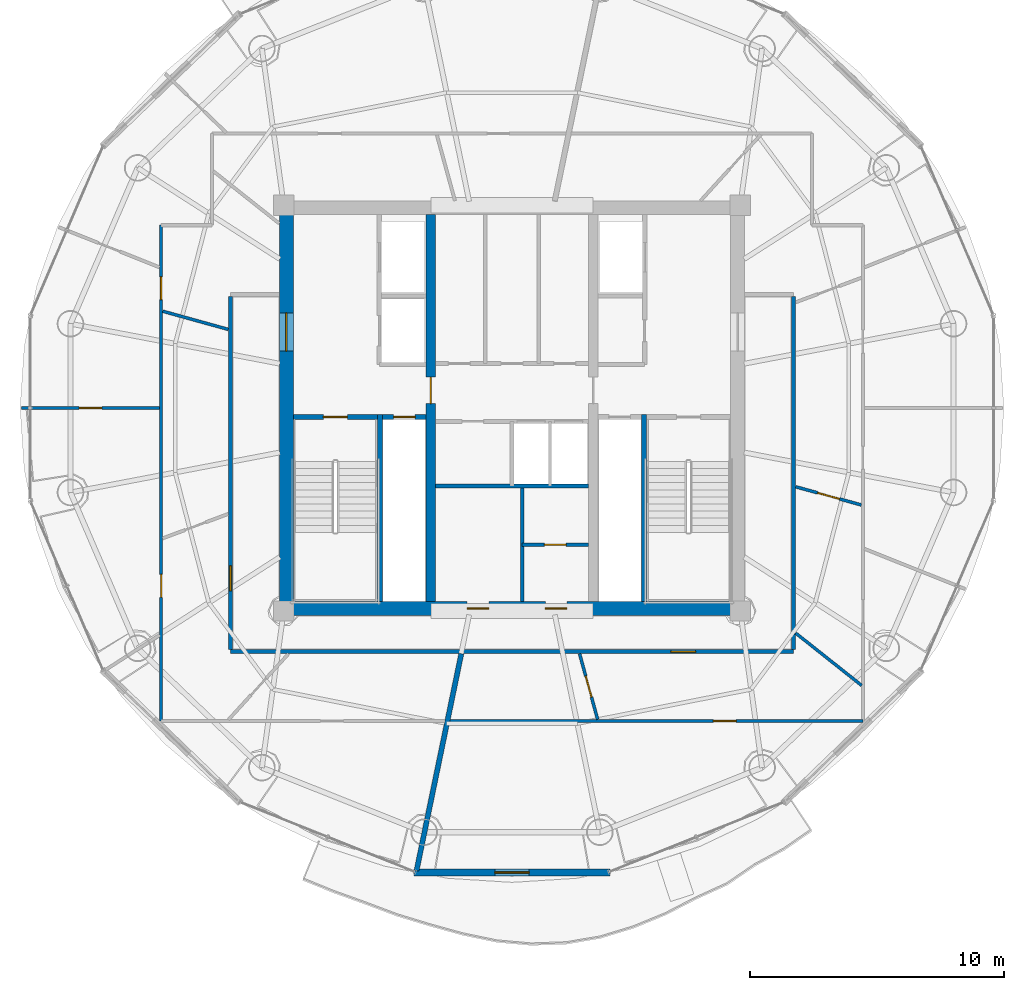
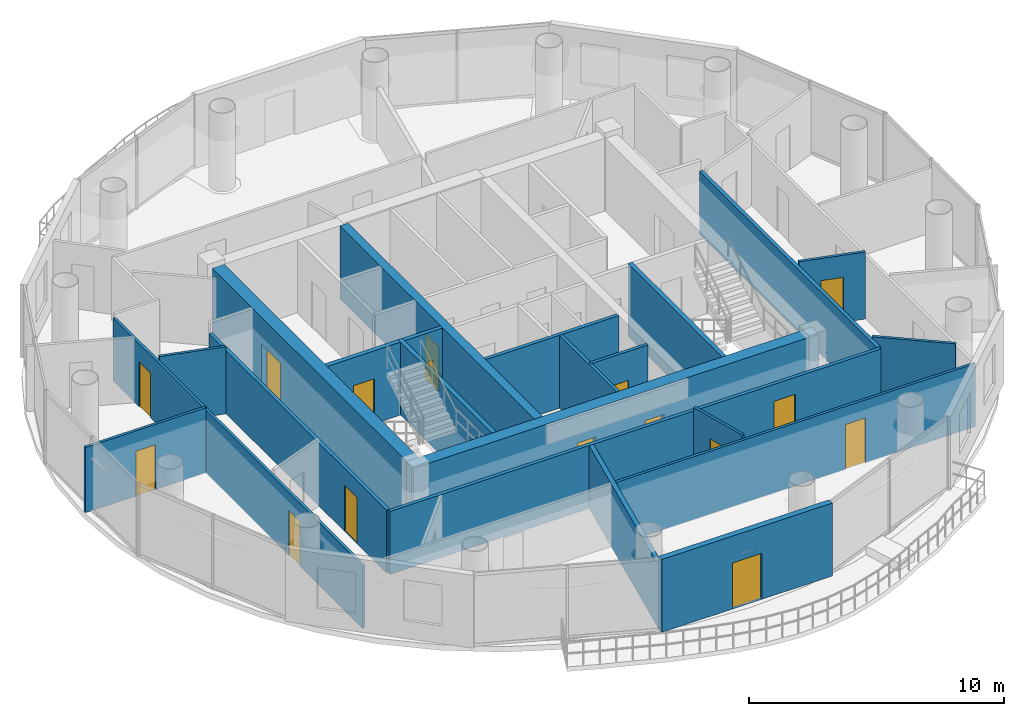
# One storey, part 14 of 21: 22 walls, 16 doors, 16 openings.
"""IFC4 building model written with IfcOpenShell, lengths in metres."""

from ifc_helpers import new_model, si_unit, direction, frame, frame_2d, origin, place, context, subcontext, project, spatial, rectangle, extrude, source, transform, mapped, material, layer, layer_set, type_object, element, fill, save


model = new_model("IFC4")

# Units and contexts
model_context = context("Model", 3, precision=1e-05, world=origin(), true_north=direction((-0.2419218956, 0.970295726276)))
body_context = subcontext(model_context, "Body", "Model", "MODEL_VIEW")
ifc_project = project(units=[si_unit("LENGTHUNIT", "METRE"), si_unit("AREAUNIT", "SQUARE_METRE"), si_unit("VOLUMEUNIT", "CUBIC_METRE"), si_unit("PLANEANGLEUNIT", "RADIAN"), si_unit("MASSUNIT", "GRAM", prefix="KILO")], contexts=[model_context])

# Site, building, storey
site_placement = place(None, origin())
site = spatial("IfcSite", under=ifc_project, at=site_placement, CompositionType="ELEMENT")
building_placement = place(site_placement, origin())
building = spatial("IfcBuilding", under=site, at=building_placement, Name="Cobrevalo Terracotta Tower", CompositionType="ELEMENT")
storey_placement = place(building_placement, frame((0.0, 0.0, 281.949951171875)))
storey = spatial("IfcBuildingStorey", under=building, at=storey_placement, Name="L74", CompositionType="ELEMENT", Elevation=281.949951171875)

# Wall, openings, doors
ifc_material_1 = material(Name="Concrete C50", Category="concrete")
ifc_layer_1 = layer(ifc_material_1, 0.550048828125)
ifc_layer_set_1 = layer_set([ifc_layer_1], Name="Concrete C50")
wall_type_1 = type_object("IfcWallType", Name="Core shear wall 550 mm Concrete C50", PredefinedType="SHEAR", material=ifc_layer_set_1)
wall_1_placement = place(storey_placement, frame((28.824951171875, 18.89990234375, 0.0), z_axis=(0.0, 0.0, 1.0), x_axis=(1.0, 0.0, 0.0)))
wall_1 = element("IfcWall", 1, at=wall_1_placement, inside=storey, type_object=wall_type_1, Name="L74 south core shear wall", PredefinedType="SHEAR", context=body_context, shape_type="SweptSolid", body=[
    extrude(rectangle(XDim=18.35009765625, YDim=0.550048828125, at=frame_2d((9.175048828125, 0.0))), origin(), (0.0, 0.0, 1.0), 3.489990234375),
])
opening_1_placement = place(wall_1_placement, frame((7.409912109375, 0.0, 0.0)))
opening_1 = element("IfcOpeningElement", 2, at=opening_1_placement, cuts=wall_1, Name="Opening ID-22", PredefinedType="OPENING", context=body_context, shape_type="SweptSolid", body=[
    extrude(rectangle(XDim=0.85009765625, YDim=2.10009765625, at=frame_2d((0.425048828125, 1.050048828125))), frame((0.0, 0.28515625, 0.0), z_axis=(0.0, -1.0, 0.0), x_axis=(1.0, 0.0, 0.0)), (0.0, 0.0, 1.0), 0.570068359375),
])
opening_2_placement = place(wall_1_placement, frame((10.489990234375, 0.0, 0.0)))
opening_2 = element("IfcOpeningElement", 3, at=opening_2_placement, cuts=wall_1, Name="Opening ID-22", PredefinedType="OPENING", context=body_context, shape_type="SweptSolid", body=[
    extrude(rectangle(XDim=0.85009765625, YDim=2.10009765625, at=frame_2d((0.425048828125, 1.050048828125))), frame((0.0, 0.28515625, 0.0), z_axis=(0.0, -1.0, 0.0), x_axis=(1.0, 0.0, 0.0)), (0.0, 0.0, 1.0), 0.570068359375),
])
ifc_material_2 = material(Name="Powder-coated steel", Category="steel")
door_type_1 = type_object("IfcDoorType", Name="Riser shaft & meter closet fire access door 850x2100 EI 60", OperationType="NOTDEFINED", PredefinedType="DOOR", material=ifc_material_2)
shared_shape_1 = source(origin(), body_context, "Body", "SweptSolid", [
    extrude(rectangle(XDim=0.85009765625, YDim=2.10009765625, at=frame_2d((0.425048828125, 1.050048828125))), frame((0.0, 0.02490234375, 0.0), z_axis=(0.0, -1.0, 0.0), x_axis=(1.0, 0.0, 0.0)), (0.0, 0.0, 1.0), 0.050048828125),
])
door_1_placement = place(opening_1_placement, origin())
door_1 = element("IfcDoor", 4, at=door_1_placement, inside=storey, type_object=door_type_1, Name="L74 core south plant door Floor AHU Mechanical Plant", OperationType="SINGLE_SWING_RIGHT", OverallHeight=2.10009765625, OverallWidth=0.85009765625, PredefinedType="DOOR", context=body_context, shape_type="MappedRepresentation", body=[
    mapped(shared_shape_1, transform((0.0, 0.0, 0.0), scale=1.0)),
])
fill(opening_1, door_1)
door_2_placement = place(opening_2_placement, origin())
door_2 = element("IfcDoor", 5, at=door_2_placement, inside=storey, type_object=door_type_1, Name="L74 core south plant door Sprinkler Valve Plant", OperationType="SINGLE_SWING_RIGHT", OverallHeight=2.10009765625, OverallWidth=0.85009765625, PredefinedType="DOOR", context=body_context, shape_type="MappedRepresentation", body=[
    mapped(shared_shape_1, transform((0.0, 0.0, 0.0), scale=1.0)),
])
fill(opening_2, door_2)

# Wall, opening, door
wall_2_placement = place(storey_placement, frame((29.10009765625, 19.175048828125, 0.0), z_axis=(0.0, 0.0, 1.0), x_axis=(0.0, 1.0, 0.0)))
wall_2 = element("IfcWall", 6, at=wall_2_placement, inside=storey, type_object=wall_type_1, Name="L74 west core shear wall", PredefinedType="SHEAR", context=body_context, shape_type="SweptSolid", body=[
    extrude(rectangle(XDim=15.25, YDim=0.550048828125, at=frame_2d((7.625, 0.0))), origin(), (0.0, 0.0, 1.0), 3.489990234375),
])
opening_3_placement = place(wall_2_placement, frame((9.875, 0.0, 0.0)))
opening_3 = element("IfcOpeningElement", 7, at=opening_3_placement, cuts=wall_2, Name="Opening ID-14", PredefinedType="OPENING", context=body_context, shape_type="SweptSolid", body=[
    extrude(rectangle(XDim=1.5, YDim=2.199951171875, at=frame_2d((0.75, 1.10009765625))), frame((0.0, 0.28515625, 0.0), z_axis=(0.0, -1.0, 0.0), x_axis=(1.0, 0.0, 0.0)), (0.0, 0.0, 1.0), 0.570068359375),
])
ifc_material_3 = material(Name="Galvanized fire-rated steel", Category="steel")
door_type_2 = type_object("IfcDoorType", Name="Core cross-lobby double fire door 1500x2200 EI 90", OperationType="NOTDEFINED", PredefinedType="DOOR", material=ifc_material_3)
shared_shape_2 = source(origin(), body_context, "Body", "SweptSolid", [
    extrude(rectangle(XDim=1.5, YDim=2.199951171875, at=frame_2d((0.75, 1.10009765625))), frame((0.0, 0.02490234375, 0.0), z_axis=(0.0, -1.0, 0.0), x_axis=(1.0, 0.0, 0.0)), (0.0, 0.0, 1.0), 0.050048828125),
])
door_3_placement = place(opening_3_placement, origin())
door_3 = element("IfcDoor", 8, at=door_3_placement, inside=storey, type_object=door_type_2, Name="L74 west firefighting lobby entrance door", OperationType="DOUBLE_DOOR_SINGLE_SWING", OverallHeight=2.199951171875, OverallWidth=1.5, PredefinedType="DOOR", context=body_context, shape_type="MappedRepresentation", body=[
    mapped(shared_shape_2, transform((0.0, 0.0, 0.0), scale=1.0)),
])
fill(opening_3, door_3)

# Wall
ifc_material_4 = material(Name="Gypsum board on steel stud", Category="steel")
ifc_layer_2 = layer(ifc_material_4, 0.159912109375)
ifc_layer_set_2 = layer_set([ifc_layer_2], Name="Gypsum board on steel stud")
wall_type_2 = type_object("IfcWallType", Name="Fire-rated corridor acoustic partition wall 160 mm", PredefinedType="PARTITIONING", material=ifc_layer_set_2)
wall_3_placement = place(storey_placement, frame((34.989990234375, 23.719970703125, 0.0), z_axis=(0.0, 0.0, 1.0), x_axis=(1.0, 0.0, 0.0)))
element("IfcWall", 9, at=wall_3_placement, inside=storey, type_object=wall_type_2, Name="L74 interior partition IW-L74-MB-S", PredefinedType="PARTITIONING", context=body_context, shape_type="SweptSolid", body=[
    extrude(rectangle(XDim=6.02001953125, YDim=0.159912109375, at=frame_2d((3.010009765625, 0.0))), origin(), (0.0, 0.0, 1.0), 3.489990234375),
])

# Wall, opening, door
wall_4_placement = place(storey_placement, frame((26.89501953125, 17.195068359375, 0.0), z_axis=(0.0, 0.0, 1.0), x_axis=(1.0, 0.0, 0.0)))
wall_4 = element("IfcWall", 10, at=wall_4_placement, inside=storey, type_object=wall_type_2, Name="L74 interior partition IW-L74-COR-S", PredefinedType="PARTITIONING", context=body_context, shape_type="SweptSolid", body=[
    extrude(rectangle(XDim=22.2099609375, YDim=0.159912109375, at=frame_2d((11.10498046875, 0.0))), origin(), (0.0, 0.0, 1.0), 3.01513671875),
])
opening_4_placement = place(wall_4_placement, frame((17.365478515625, 0.0, 0.0)))
opening_4 = element("IfcOpeningElement", 11, at=opening_4_placement, cuts=wall_4, Name="Opening ID-05", PredefinedType="OPENING", context=body_context, shape_type="SweptSolid", body=[
    extrude(rectangle(XDim=0.97998046875, YDim=2.199951171875, at=frame_2d((0.489990234375, 1.10009765625))), frame((0.0, 0.08984375, 0.0), z_axis=(0.0, -1.0, 0.0), x_axis=(1.0, 0.0, 0.0)), (0.0, 0.0, 1.0), 0.179931640625),
])
ifc_material_5 = material(Name="Solid hardwood timber", Category="wood")
door_type_3 = type_object("IfcDoorType", Name="Residence entrance fire-rated acoustic timber door 980x2200 EI 60", OperationType="NOTDEFINED", PredefinedType="DOOR", material=ifc_material_5)
shared_shape_3 = source(origin(), body_context, "Body", "SweptSolid", [
    extrude(rectangle(XDim=0.97998046875, YDim=2.199951171875, at=frame_2d((0.489990234375, 1.10009765625))), frame((0.0, 0.02490234375, 0.0), z_axis=(0.0, -1.0, 0.0), x_axis=(1.0, 0.0, 0.0)), (0.0, 0.0, 1.0), 0.050048828125),
])
door_4_placement = place(opening_4_placement, frame((0.97998046875, 0.0, 0.0), z_axis=(0.0, 0.0, 1.0), x_axis=(-1.0, 0.0, 0.0)))
door_4 = element("IfcDoor", 12, at=door_4_placement, inside=storey, type_object=door_type_3, Name="Flat L74B fire-rated apartment entrance door", OperationType="SINGLE_SWING_LEFT", OverallHeight=2.199951171875, OverallWidth=0.97998046875, PredefinedType="DOOR", context=body_context, shape_type="MappedRepresentation", body=[
    mapped(shared_shape_3, transform((0.0, 0.0, 0.0), scale=1.0)),
])
fill(opening_4, door_4)

wall_5_placement = place(storey_placement, frame((26.89501953125, 17.27490234375, 0.0), z_axis=(0.0, 0.0, 1.0), x_axis=(0.0, 1.0, 0.0)))
wall_5 = element("IfcWall", 13, at=wall_5_placement, inside=storey, type_object=wall_type_2, Name="L74 interior partition IW-L74-COR-W", PredefinedType="PARTITIONING", context=body_context, shape_type="SweptSolid", body=[
    extrude(rectangle(XDim=13.925048828125, YDim=0.159912109375, at=frame_2d((6.96240234375, 0.0))), origin(), (0.0, 0.0, 1.0), 3.01513671875),
])
opening_5_placement = place(wall_5_placement, frame((2.321044921875, 0.0, 0.0)))
opening_5 = element("IfcOpeningElement", 14, at=opening_5_placement, cuts=wall_5, Name="Opening ID-05", PredefinedType="OPENING", context=body_context, shape_type="SweptSolid", body=[
    extrude(rectangle(XDim=0.97998046875, YDim=2.199951171875, at=frame_2d((0.489990234375, 1.10009765625))), frame((0.0, 0.08984375, 0.0), z_axis=(0.0, -1.0, 0.0), x_axis=(1.0, 0.0, 0.0)), (0.0, 0.0, 1.0), 0.179931640625),
])
door_5_placement = place(opening_5_placement, origin())
door_5 = element("IfcDoor", 15, at=door_5_placement, inside=storey, type_object=door_type_3, Name="Flat L74A fire-rated apartment entrance door", OperationType="SINGLE_SWING_RIGHT", OverallHeight=2.199951171875, OverallWidth=0.97998046875, PredefinedType="DOOR", context=body_context, shape_type="MappedRepresentation", body=[
    mapped(shared_shape_3, transform((0.0, 0.0, 0.0), scale=1.0)),
])
fill(opening_5, door_5)

# Wall
wall_6_placement = place(storey_placement, frame((49.10498046875, 17.27490234375, 0.0), z_axis=(0.0, 0.0, 1.0), x_axis=(0.0, 1.0, 0.0)))
element("IfcWall", 16, at=wall_6_placement, inside=storey, type_object=wall_type_2, Name="L74 interior partition IW-L74-COR-E", PredefinedType="PARTITIONING", context=body_context, shape_type="SweptSolid", body=[
    extrude(rectangle(XDim=13.925048828125, YDim=0.159912109375, at=frame_2d((6.96240234375, 0.0))), origin(), (0.0, 0.0, 1.0), 3.01513671875),
])

# Wall, opening, door
ifc_layer_3 = layer(ifc_material_4, 0.179931640625)
ifc_layer_set_3 = layer_set([ifc_layer_3], Name="Gypsum board on steel stud")
wall_type_3 = type_object("IfcWallType", Name="Fire-rated shaft & lobby acoustic partition wall 180 mm", PredefinedType="PARTITIONING", material=ifc_layer_set_3)
wall_7_placement = place(storey_placement, frame((32.89990234375, 26.449951171875, 0.0), z_axis=(0.0, 0.0, 1.0), x_axis=(1.0, 0.0, 0.0)))
wall_7 = element("IfcWall", 17, at=wall_7_placement, inside=storey, type_object=wall_type_3, Name="L74 interior partition IW-L74-RSW-N", PredefinedType="PARTITIONING", context=body_context, shape_type="SweptSolid", body=[
    extrude(rectangle(XDim=1.710205078125, YDim=0.179931640625, at=frame_2d((0.85498046875, 0.0))), origin(), (0.0, 0.0, 1.0), 3.489990234375),
])
opening_6_placement = place(wall_7_placement, frame((0.429931640625, 0.0, 0.0)))
opening_6 = element("IfcOpeningElement", 18, at=opening_6_placement, cuts=wall_7, Name="Opening ID-22", PredefinedType="OPENING", context=body_context, shape_type="SweptSolid", body=[
    extrude(rectangle(XDim=0.85009765625, YDim=2.10009765625, at=frame_2d((0.425048828125, 1.050048828125))), frame((0.0, 0.10009765625, 0.0), z_axis=(0.0, -1.0, 0.0), x_axis=(1.0, 0.0, 0.0)), (0.0, 0.0, 1.0), 0.199951171875),
])
door_6_placement = place(opening_6_placement, origin())
door_6 = element("IfcDoor", 19, at=door_6_placement, inside=storey, type_object=door_type_1, Name="L74 riser access door RSW", OperationType="SINGLE_SWING_LEFT", OverallHeight=2.10009765625, OverallWidth=0.85009765625, PredefinedType="DOOR", context=body_context, shape_type="MappedRepresentation", body=[
    mapped(shared_shape_1, transform((0.0, 0.0, 0.0), scale=1.0)),
])
fill(opening_6, door_6)

# Wall
ifc_material_6 = material(Name="Autoclaved aerated concrete block", Category="concrete")
ifc_layer_4 = layer(ifc_material_6, 0.199951171875)
ifc_layer_set_4 = layer_set([ifc_layer_4], Name="Autoclaved aerated concrete block")
wall_type_4 = type_object("IfcWallType", Name="Fire-rated stair, shaft & demising masonry wall 200 mm", PredefinedType="PARTITIONING", material=ifc_layer_set_4)
wall_8_placement = place(storey_placement, frame((36.00146484375, 17.114990234375, 0.0), z_axis=(0.0, 0.0, 1.0), x_axis=(-0.202108543081, -0.979363128167, 0.0)))
element("IfcWall", 20, at=wall_8_placement, inside=storey, type_object=wall_type_4, Name="L74 interior partition IW-L74-DEM-2", PredefinedType="PARTITIONING", context=body_context, shape_type="SweptSolid", body=[
    extrude(rectangle(XDim=8.738525390625, YDim=0.199951171875, at=frame_2d((4.369140625, 0.0))), origin(), (0.0, 0.0, 1.0), 3.01513671875),
])

# Wall, opening, door
ifc_layer_5 = layer(ifc_material_1, 0.3798828125)
ifc_layer_set_5 = layer_set([ifc_layer_5], Name="Concrete C50")
wall_type_5 = type_object("IfcWallType", Name="Internal core shear web wall 380 mm Concrete C50", PredefinedType="SHEAR", material=ifc_layer_set_5)
wall_9_placement = place(storey_placement, frame((34.800048828125, 19.175048828125, 0.0), z_axis=(0.0, 0.0, 1.0), x_axis=(0.0, 1.0, 0.0)))
wall_9 = element("IfcWall", 21, at=wall_9_placement, inside=storey, type_object=wall_type_5, Name="L74 internal core shear wall WEB-W", PredefinedType="SHEAR", context=body_context, shape_type="SweptSolid", body=[
    extrude(rectangle(XDim=15.25, YDim=0.3798828125, at=frame_2d((7.625, 0.0))), origin(), (0.0, 0.0, 1.0), 3.489990234375),
])
opening_7_placement = place(wall_9_placement, frame((7.800048828125, 0.0, 0.0)))
opening_7 = element("IfcOpeningElement", 22, at=opening_7_placement, cuts=wall_9, Name="Opening ID-11", PredefinedType="OPENING", context=body_context, shape_type="SweptSolid", body=[
    extrude(rectangle(XDim=1.050048828125, YDim=2.14990234375, at=frame_2d((0.52490234375, 1.074951171875))), frame((0.0, 0.199951171875, 0.0), z_axis=(0.0, -1.0, 0.0), x_axis=(1.0, 0.0, 0.0)), (0.0, 0.0, 1.0), 0.39990234375),
])
door_type_4 = type_object("IfcDoorType", Name="Core concourse cross fire door 1050x2150 EI 90", OperationType="NOTDEFINED", PredefinedType="DOOR", material=ifc_material_3)
shared_shape_4 = source(origin(), body_context, "Body", "SweptSolid", [
    extrude(rectangle(XDim=1.050048828125, YDim=2.14990234375, at=frame_2d((0.52490234375, 1.074951171875))), frame((0.0, 0.02490234375, 0.0), z_axis=(0.0, -1.0, 0.0), x_axis=(1.0, 0.0, 0.0)), (0.0, 0.0, 1.0), 0.050048828125),
])
door_7_placement = place(opening_7_placement, origin())
door_7 = element("IfcDoor", 23, at=door_7_placement, inside=storey, type_object=door_type_4, Name="L74 west core concourse cross door", OperationType="SINGLE_SWING_LEFT", OverallHeight=2.14990234375, OverallWidth=1.050048828125, PredefinedType="DOOR", context=body_context, shape_type="MappedRepresentation", body=[
    mapped(shared_shape_4, transform((0.0, 0.0, 0.0), scale=1.0)),
])
fill(opening_7, door_7)

# Wall
ifc_layer_6 = layer(ifc_material_6, 0.139892578125)
ifc_layer_set_6 = layer_set([ifc_layer_6], Name="Autoclaved aerated concrete block")
wall_type_6 = type_object("IfcWallType", Name="Moisture-resistant wet-room & core service partition 140 mm", PredefinedType="PARTITIONING", material=ifc_layer_set_6)
wall_10_placement = place(storey_placement, frame((38.39990234375, 19.175048828125, 0.0), z_axis=(0.0, 0.0, 1.0), x_axis=(0.0, 1.0, 0.0)))
element("IfcWall", 24, at=wall_10_placement, inside=storey, type_object=wall_type_6, Name="L74 interior partition IW-L74-KVS-L1", PredefinedType="PARTITIONING", context=body_context, shape_type="SweptSolid", body=[
    extrude(rectangle(XDim=4.46484375, YDim=0.139892578125, at=frame_2d((2.232421875, 0.0))), origin(), (0.0, 0.0, 1.0), 3.489990234375),
])

# Wall, opening, door
wall_11_placement = place(storey_placement, frame((38.39990234375, 21.407470703125, 0.0), z_axis=(0.0, 0.0, 1.0), x_axis=(1.0, 0.0, 0.0)))
wall_11 = element("IfcWall", 25, at=wall_11_placement, inside=storey, type_object=wall_type_6, Name="L74 interior partition IW-L74-KVS-L2", PredefinedType="PARTITIONING", context=body_context, shape_type="SweptSolid", body=[
    extrude(rectangle(XDim=2.610107421875, YDim=0.139892578125, at=frame_2d((1.30517578125, 0.0))), origin(), (0.0, 0.0, 1.0), 3.489990234375),
])
opening_8_placement = place(wall_11_placement, frame((0.8798828125, 0.0, 0.0)))
opening_8 = element("IfcOpeningElement", 26, at=opening_8_placement, cuts=wall_11, Name="Opening ID-22", PredefinedType="OPENING", context=body_context, shape_type="SweptSolid", body=[
    extrude(rectangle(XDim=0.85009765625, YDim=2.10009765625, at=frame_2d((0.425048828125, 1.050048828125))), frame((0.0, 0.080078125, 0.0), z_axis=(0.0, -1.0, 0.0), x_axis=(1.0, 0.0, 0.0)), (0.0, 0.0, 1.0), 0.159912109375),
])
door_8_placement = place(opening_8_placement, origin())
door_8 = element("IfcDoor", 27, at=door_8_placement, inside=storey, type_object=door_type_1, Name="L74 core KVS-L2 inner door", OperationType="SINGLE_SWING_LEFT", OverallHeight=2.10009765625, OverallWidth=0.85009765625, PredefinedType="DOOR", context=body_context, shape_type="MappedRepresentation", body=[
    mapped(shared_shape_1, transform((0.0, 0.0, 0.0), scale=1.0)),
])
fill(opening_8, door_8)

ifc_layer_7 = layer(ifc_material_6, 0.260009765625)
ifc_layer_set_7 = layer_set([ifc_layer_7], Name="Autoclaved aerated concrete block")
wall_type_7 = type_object("IfcWallType", Name="Recessed balcony loggia insulated exterior wall 260 mm", PredefinedType="SOLIDWALL", material=ifc_layer_set_7)
wall_12_placement = place(storey_placement, frame((34.14111328125, 8.48876953125, 0.0), z_axis=(0.0, 0.0, 1.0), x_axis=(1.0, 0.0, 0.0)))
wall_12 = element("IfcWall", 28, at=wall_12_placement, inside=storey, type_object=wall_type_7, Name="L74 balcony loggia wall S12", PredefinedType="SOLIDWALL", context=body_context, shape_type="SweptSolid", body=[
    extrude(rectangle(XDim=7.7177734375, YDim=0.260009765625, at=frame_2d((3.85888671875, 0.0))), origin(), (0.0, 0.0, 1.0), 3.489990234375),
])
opening_9_placement = place(wall_12_placement, frame((3.183837890625, 0.0, 0.0)))
opening_9 = element("IfcOpeningElement", 29, at=opening_9_placement, cuts=wall_12, Name="Opening ED-05", PredefinedType="OPENING", context=body_context, shape_type="SweptSolid", body=[
    extrude(rectangle(XDim=1.35009765625, YDim=2.199951171875, at=frame_2d((0.675048828125, 1.10009765625))), frame((0.0, 0.14013671875, 0.0), z_axis=(0.0, -1.0, 0.0), x_axis=(1.0, 0.0, 0.0)), (0.0, 0.0, 1.0), 0.280029296875),
])
ifc_material_7 = material(Name="Anodized aluminium and laminated glass", Category="aluminium")
door_type_5 = type_object("IfcDoorType", Name="Suite balcony acoustic glazed terrace door 1350x2200", OperationType="NOTDEFINED", PredefinedType="DOOR", material=ifc_material_7)
shared_shape_5 = source(origin(), body_context, "Body", "SweptSolid", [
    extrude(rectangle(XDim=1.35009765625, YDim=2.199951171875, at=frame_2d((0.675048828125, 1.10009765625))), frame((0.0, 0.02490234375, 0.0), z_axis=(0.0, -1.0, 0.0), x_axis=(1.0, 0.0, 0.0)), (0.0, 0.0, 1.0), 0.050048828125),
])
door_9_placement = place(opening_9_placement, frame((1.35009765625, 0.0, 0.0), z_axis=(0.0, 0.0, 1.0), x_axis=(-1.0, 0.0, 0.0)))
door_9 = element("IfcDoor", 30, at=door_9_placement, inside=storey, type_object=door_type_5, Name="L74 glazed balcony terrace door 2", OperationType="SINGLE_SWING_RIGHT", OverallHeight=2.199951171875, OverallWidth=1.35009765625, PredefinedType="DOOR", context=body_context, shape_type="MappedRepresentation", body=[
    mapped(shared_shape_5, transform((0.0, 0.0, 0.0), scale=1.0)),
])
fill(opening_9, door_9)

# Wall, openings, doors
ifc_layer_8 = layer(ifc_material_4, 0.1201171875)
ifc_layer_set_8 = layer_set([ifc_layer_8], Name="Gypsum board on steel stud")
wall_type_8 = type_object("IfcWallType", Name="Residential internal acoustic stud partition 120 mm", PredefinedType="PARTITIONING", material=ifc_layer_set_8)
wall_13_placement = place(storey_placement, frame((24.1650390625, 14.465087890625, 0.0), z_axis=(0.0, 0.0, 1.0), x_axis=(0.0, 1.0, 0.0)))
wall_13 = element("IfcWall", 31, at=wall_13_placement, inside=storey, type_object=wall_type_8, Name="L74 interior partition IW-L74-U1-RING1_0", PredefinedType="PARTITIONING", context=body_context, shape_type="SweptSolid", body=[
    extrude(rectangle(XDim=19.544921875, YDim=0.1201171875, at=frame_2d((9.7724609375, 0.0))), origin(), (0.0, 0.0, 1.0), 3.01513671875),
])
opening_10_placement = place(wall_13_placement, frame((4.87548828125, 0.0, 0.0)))
opening_10 = element("IfcOpeningElement", 32, at=opening_10_placement, cuts=wall_13, Name="Opening ID-12", PredefinedType="OPENING", context=body_context, shape_type="SweptSolid", body=[
    extrude(rectangle(XDim=0.89990234375, YDim=2.14990234375, at=frame_2d((0.449951171875, 1.074951171875))), frame((0.0, 0.070068359375, 0.0), z_axis=(0.0, -1.0, 0.0), x_axis=(1.0, 0.0, 0.0)), (0.0, 0.0, 1.0), 0.14013671875),
])
opening_11_placement = place(wall_13_placement, frame((16.60986328125, 0.0, 0.0)))
opening_11 = element("IfcOpeningElement", 33, at=opening_11_placement, cuts=wall_13, Name="Opening ID-12", PredefinedType="OPENING", context=body_context, shape_type="SweptSolid", body=[
    extrude(rectangle(XDim=0.89990234375, YDim=2.14990234375, at=frame_2d((0.449951171875, 1.074951171875))), frame((0.0, 0.070068359375, 0.0), z_axis=(0.0, -1.0, 0.0), x_axis=(1.0, 0.0, 0.0)), (0.0, 0.0, 1.0), 0.14013671875),
])
ifc_material_8 = material(Name="Engineered timber", Category="wood")
door_type_6 = type_object("IfcDoorType", Name="Internal residence & suite timber door 900x2150", OperationType="NOTDEFINED", PredefinedType="DOOR", material=ifc_material_8)
shared_shape_6 = source(origin(), body_context, "Body", "SweptSolid", [
    extrude(rectangle(XDim=0.89990234375, YDim=2.14990234375, at=frame_2d((0.449951171875, 1.074951171875))), frame((0.0, 0.02490234375, 0.0), z_axis=(0.0, -1.0, 0.0), x_axis=(1.0, 0.0, 0.0)), (0.0, 0.0, 1.0), 0.050048828125),
])
door_10_placement = place(opening_10_placement, origin())
door_10 = element("IfcDoor", 34, at=door_10_placement, inside=storey, type_object=door_type_6, Name="Flat L74A Penthouse Family Lounge internal door", OperationType="SINGLE_SWING_LEFT", OverallHeight=2.14990234375, OverallWidth=0.89990234375, PredefinedType="DOOR", context=body_context, shape_type="MappedRepresentation", body=[
    mapped(shared_shape_6, transform((0.0, 0.0, 0.0), scale=1.0)),
])
fill(opening_10, door_10)
door_11_placement = place(opening_11_placement, frame((0.89990234375, 0.0, 0.0), z_axis=(0.0, 0.0, 1.0), x_axis=(-1.0, 0.0, 0.0)))
door_11 = element("IfcDoor", 35, at=door_11_placement, inside=storey, type_object=door_type_6, Name="Flat L74A Private Library Meeting Room internal door", OperationType="SINGLE_SWING_RIGHT", OverallHeight=2.14990234375, OverallWidth=0.89990234375, PredefinedType="DOOR", context=body_context, shape_type="MappedRepresentation", body=[
    mapped(shared_shape_6, transform((0.0, 0.0, 0.0), scale=1.0)),
])
fill(opening_11, door_11)

# Wall, opening, door
wall_14_placement = place(storey_placement, frame((24.10302734375, 26.800048828125, 0.0), z_axis=(0.0, 0.0, 1.0), x_axis=(-1.0, 0.0, 0.0)))
wall_14 = element("IfcWall", 36, at=wall_14_placement, inside=storey, type_object=wall_type_8, Name="L74 interior partition IW-L74-U1-ORAD2", PredefinedType="PARTITIONING", context=body_context, shape_type="SweptSolid", body=[
    extrude(rectangle(XDim=5.443115234375, YDim=0.1201171875, at=frame_2d((2.7216796875, 0.0))), origin(), (0.0, 0.0, 1.0), 3.12109375),
])
opening_12_placement = place(wall_14_placement, frame((2.271484375, 0.0, 0.0)))
opening_12 = element("IfcOpeningElement", 37, at=opening_12_placement, cuts=wall_14, Name="Opening ID-12", PredefinedType="OPENING", context=body_context, shape_type="SweptSolid", body=[
    extrude(rectangle(XDim=0.89990234375, YDim=2.14990234375, at=frame_2d((0.449951171875, 1.074951171875))), frame((0.0, 0.070068359375, 0.0), z_axis=(0.0, -1.0, 0.0), x_axis=(1.0, 0.0, 0.0)), (0.0, 0.0, 1.0), 0.14013671875),
])
door_12_placement = place(opening_12_placement, frame((0.89990234375, 0.0, 0.0), z_axis=(0.0, 0.0, 1.0), x_axis=(-1.0, 0.0, 0.0)))
door_12 = element("IfcDoor", 38, at=door_12_placement, inside=storey, type_object=door_type_6, Name="Flat L74A Principal Guest Bedroom internal door", OperationType="SINGLE_SWING_LEFT", OverallHeight=2.14990234375, OverallWidth=0.89990234375, PredefinedType="DOOR", context=body_context, shape_type="MappedRepresentation", body=[
    mapped(shared_shape_6, transform((0.0, 0.0, 0.0), scale=1.0)),
])
fill(opening_12, door_12)

# Wall
wall_15_placement = place(storey_placement, frame((26.81494140625, 29.901611328125, 0.0), z_axis=(0.0, 0.0, 1.0), x_axis=(-0.963610243268, 0.267311240073, 0.0)))
element("IfcWall", 39, at=wall_15_placement, inside=storey, type_object=wall_type_8, Name="L74 interior partition IW-L74-U1-IRAD3", PredefinedType="PARTITIONING", context=body_context, shape_type="SweptSolid", body=[
    extrude(rectangle(XDim=2.68798828125, YDim=0.1201171875, at=frame_2d((1.343994140625, 0.0))), origin(), (0.0, 0.0, 1.0), 3.208984375),
])

# Wall, opening, door
wall_16_placement = place(storey_placement, frame((51.8349609375, 14.465087890625, 0.0), z_axis=(0.0, 0.0, 1.0), x_axis=(-1.0, 0.0, 0.0)))
wall_16 = element("IfcWall", 40, at=wall_16_placement, inside=storey, type_object=wall_type_8, Name="L74 interior partition IW-L74-U2-RING4_0", PredefinedType="PARTITIONING", context=body_context, shape_type="SweptSolid", body=[
    extrude(rectangle(XDim=16.2783203125, YDim=0.1201171875, at=frame_2d((8.13916015625, 0.0))), origin(), (0.0, 0.0, 1.0), 3.01513671875),
])
opening_13_placement = place(wall_16_placement, frame((4.99560546875, 0.0, 0.0)))
opening_13 = element("IfcOpeningElement", 41, at=opening_13_placement, cuts=wall_16, Name="Opening ID-12", PredefinedType="OPENING", context=body_context, shape_type="SweptSolid", body=[
    extrude(rectangle(XDim=0.89990234375, YDim=2.14990234375, at=frame_2d((0.449951171875, 1.074951171875))), frame((0.0, 0.070068359375, 0.0), z_axis=(0.0, -1.0, 0.0), x_axis=(1.0, 0.0, 0.0)), (0.0, 0.0, 1.0), 0.14013671875),
])
door_13_placement = place(opening_13_placement, frame((0.89990234375, 0.0, 0.0), z_axis=(0.0, 0.0, 1.0), x_axis=(-1.0, 0.0, 0.0)))
door_13 = element("IfcDoor", 42, at=door_13_placement, inside=storey, type_object=door_type_6, Name="Flat L74B Penthouse Living and Dining Room internal door", OperationType="SINGLE_SWING_LEFT", OverallHeight=2.14990234375, OverallWidth=0.89990234375, PredefinedType="DOOR", context=body_context, shape_type="MappedRepresentation", body=[
    mapped(shared_shape_6, transform((0.0, 0.0, 0.0), scale=1.0)),
])
fill(opening_13, door_13)

wall_17_placement = place(storey_placement, frame((40.6640625, 17.114990234375, 0.0), z_axis=(0.0, 0.0, 1.0), x_axis=(0.265177604745, -0.964199584081, 0.0)))
wall_17 = element("IfcWall", 43, at=wall_17_placement, inside=storey, type_object=wall_type_8, Name="L74 interior partition IW-L74-U2-IRAD1", PredefinedType="PARTITIONING", context=body_context, shape_type="SweptSolid", body=[
    extrude(rectangle(XDim=2.6865234375, YDim=0.1201171875, at=frame_2d((1.34326171875, 0.0))), origin(), (0.0, 0.0, 1.0), 3.208984375),
])
opening_14_placement = place(wall_17_placement, frame((0.9130859375, 0.0, 0.0)))
opening_14 = element("IfcOpeningElement", 44, at=opening_14_placement, cuts=wall_17, Name="Opening ID-19", PredefinedType="OPENING", context=body_context, shape_type="SweptSolid", body=[
    extrude(rectangle(XDim=0.860107421875, YDim=2.14990234375, at=frame_2d((0.43017578125, 1.074951171875))), frame((0.0, 0.070068359375, 0.0), z_axis=(0.0, -1.0, 0.0), x_axis=(1.0, 0.0, 0.0)), (0.0, 0.0, 1.0), 0.14013671875),
])
ifc_material_9 = material(Name="Moisture-sealed timber", Category="wood")
door_type_7 = type_object("IfcDoorType", Name="Suite bathroom internal timber door 860x2150", OperationType="NOTDEFINED", PredefinedType="DOOR", material=ifc_material_9)
shared_shape_7 = source(origin(), body_context, "Body", "SweptSolid", [
    extrude(rectangle(XDim=0.860107421875, YDim=2.14990234375, at=frame_2d((0.43017578125, 1.074951171875))), frame((0.0, 0.02490234375, 0.0), z_axis=(0.0, -1.0, 0.0), x_axis=(1.0, 0.0, 0.0)), (0.0, 0.0, 1.0), 0.050048828125),
])
door_14_placement = place(opening_14_placement, frame((0.860107421875, 0.0, 0.0), z_axis=(0.0, 0.0, 1.0), x_axis=(-1.0, 0.0, 0.0)))
door_14 = element("IfcDoor", 45, at=door_14_placement, inside=storey, type_object=door_type_7, Name="Flat L74B Primary Bathroom internal door", OperationType="SINGLE_SWING_RIGHT", OverallHeight=2.14990234375, OverallWidth=0.860107421875, PredefinedType="DOOR", context=body_context, shape_type="MappedRepresentation", body=[
    mapped(shared_shape_7, transform((0.0, 0.0, 0.0), scale=1.0)),
])
fill(opening_14, door_14)

# Wall
wall_18_placement = place(storey_placement, frame((49.18505859375, 17.92822265625, 0.0), z_axis=(0.0, 0.0, 1.0), x_axis=(0.78348039615, -0.621416501912, 0.0)))
element("IfcWall", 46, at=wall_18_placement, inside=storey, type_object=wall_type_8, Name="L74 interior partition IW-L74-U2-IRAD2", PredefinedType="PARTITIONING", context=body_context, shape_type="SweptSolid", body=[
    extrude(rectangle(XDim=3.3203125, YDim=0.1201171875, at=frame_2d((1.66015625, 0.0))), origin(), (0.0, 0.0, 1.0), 3.12109375),
])

# Wall, opening, door
wall_19_placement = place(storey_placement, frame((49.18505859375, 23.6982421875, 0.0), z_axis=(0.0, 0.0, 1.0), x_axis=(0.963633636359, -0.267226897744, 0.0)))
wall_19 = element("IfcWall", 47, at=wall_19_placement, inside=storey, type_object=wall_type_8, Name="L74 interior partition IW-L74-U2-IRAD3", PredefinedType="PARTITIONING", context=body_context, shape_type="SweptSolid", body=[
    extrude(rectangle(XDim=2.687744140625, YDim=0.1201171875, at=frame_2d((1.34375, 0.0))), origin(), (0.0, 0.0, 1.0), 3.208984375),
])
opening_15_placement = place(wall_19_placement, frame((0.89404296875, 0.0, 0.0)))
opening_15 = element("IfcOpeningElement", 48, at=opening_15_placement, cuts=wall_19, Name="Opening ID-12", PredefinedType="OPENING", context=body_context, shape_type="SweptSolid", body=[
    extrude(rectangle(XDim=0.89990234375, YDim=2.14990234375, at=frame_2d((0.449951171875, 1.074951171875))), frame((0.0, 0.070068359375, 0.0), z_axis=(0.0, -1.0, 0.0), x_axis=(1.0, 0.0, 0.0)), (0.0, 0.0, 1.0), 0.14013671875),
])
door_15_placement = place(opening_15_placement, origin())
door_15 = element("IfcDoor", 49, at=door_15_placement, inside=storey, type_object=door_type_6, Name="Flat L74B Private Library Meeting Room internal door", OperationType="SINGLE_SWING_LEFT", OverallHeight=2.14990234375, OverallWidth=0.89990234375, PredefinedType="DOOR", context=body_context, shape_type="MappedRepresentation", body=[
    mapped(shared_shape_6, transform((0.0, 0.0, 0.0), scale=1.0)),
])
fill(opening_15, door_15)

# Wall
ifc_layer_9 = layer(ifc_material_1, 0.199951171875)
ifc_layer_set_9 = layer_set([ifc_layer_9], Name="Concrete C50")
wall_type_9 = type_object("IfcWallType", Name="Structural core & podium stair-shaft RC wall 200 mm Concrete C50", PredefinedType="SOLIDWALL", material=ifc_layer_set_9)
wall_20_placement = place(storey_placement, frame((32.794921875, 19.175048828125, 0.0), z_axis=(0.0, 0.0, 1.0), x_axis=(0.0, 1.0, 0.0)))
element("IfcWall", 50, at=wall_20_placement, inside=storey, type_object=wall_type_9, Name="L74 ST-1 east structural shaft wall", PredefinedType="SOLIDWALL", context=body_context, shape_type="SweptSolid", body=[
    extrude(rectangle(XDim=7.375, YDim=0.199951171875, at=frame_2d((3.6875, 0.0))), origin(), (0.0, 0.0, 1.0), 3.489990234375),
])

# Wall, opening, door
wall_21_placement = place(storey_placement, frame((29.375, 26.449951171875, 0.0), z_axis=(0.0, 0.0, 1.0), x_axis=(1.0, 0.0, 0.0)))
wall_21 = element("IfcWall", 51, at=wall_21_placement, inside=storey, type_object=wall_type_9, Name="L74 ST-1 north structural shaft wall", PredefinedType="SOLIDWALL", context=body_context, shape_type="SweptSolid", body=[
    extrude(rectangle(XDim=3.320068359375, YDim=0.199951171875, at=frame_2d((1.66015625, 0.0))), origin(), (0.0, 0.0, 1.0), 3.489990234375),
])
opening_16_placement = place(wall_21_placement, frame((1.18505859375, 0.0, 0.0)))
opening_16 = element("IfcOpeningElement", 52, at=opening_16_placement, cuts=wall_21, Name="Opening ID-04", PredefinedType="OPENING", context=body_context, shape_type="SweptSolid", body=[
    extrude(rectangle(XDim=0.949951171875, YDim=2.14990234375, at=frame_2d((0.47509765625, 1.074951171875))), frame((0.0, 0.10986328125, 0.0), z_axis=(0.0, -1.0, 0.0), x_axis=(1.0, 0.0, 0.0)), (0.0, 0.0, 1.0), 0.219970703125),
])
door_type_8 = type_object("IfcDoorType", Name="Stair & firefighting lobby fire door 950x2150 EI 90", OperationType="NOTDEFINED", PredefinedType="DOOR", material=ifc_material_3)
shared_shape_8 = source(origin(), body_context, "Body", "SweptSolid", [
    extrude(rectangle(XDim=0.949951171875, YDim=2.14990234375, at=frame_2d((0.47509765625, 1.074951171875))), frame((0.0, 0.02490234375, 0.0), z_axis=(0.0, -1.0, 0.0), x_axis=(1.0, 0.0, 0.0)), (0.0, 0.0, 1.0), 0.050048828125),
])
door_16_placement = place(opening_16_placement, origin())
door_16 = element("IfcDoor", 53, at=door_16_placement, inside=storey, type_object=door_type_8, Name="L74 protected stair ST1 fire door", OperationType="SINGLE_SWING_LEFT", OverallHeight=2.14990234375, OverallWidth=0.949951171875, PredefinedType="DOOR", context=body_context, shape_type="MappedRepresentation", body=[
    mapped(shared_shape_8, transform((0.0, 0.0, 0.0), scale=1.0)),
])
fill(opening_16, door_16)

# Wall
wall_22_placement = place(storey_placement, frame((43.205078125, 19.175048828125, 0.0), z_axis=(0.0, 0.0, 1.0), x_axis=(0.0, 1.0, 0.0)))
element("IfcWall", 54, at=wall_22_placement, inside=storey, type_object=wall_type_9, Name="L74 ST-2 west structural shaft wall", PredefinedType="SOLIDWALL", context=body_context, shape_type="SweptSolid", body=[
    extrude(rectangle(XDim=7.375, YDim=0.199951171875, at=frame_2d((3.6875, 0.0))), origin(), (0.0, 0.0, 1.0), 3.489990234375),
])

save(model, "model.ifc")
